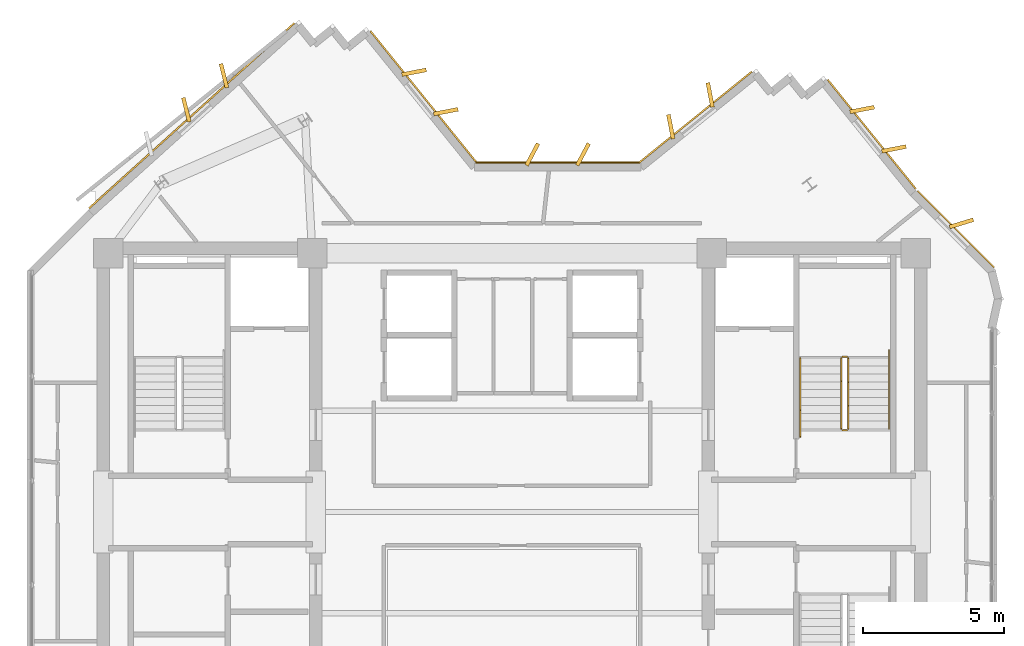
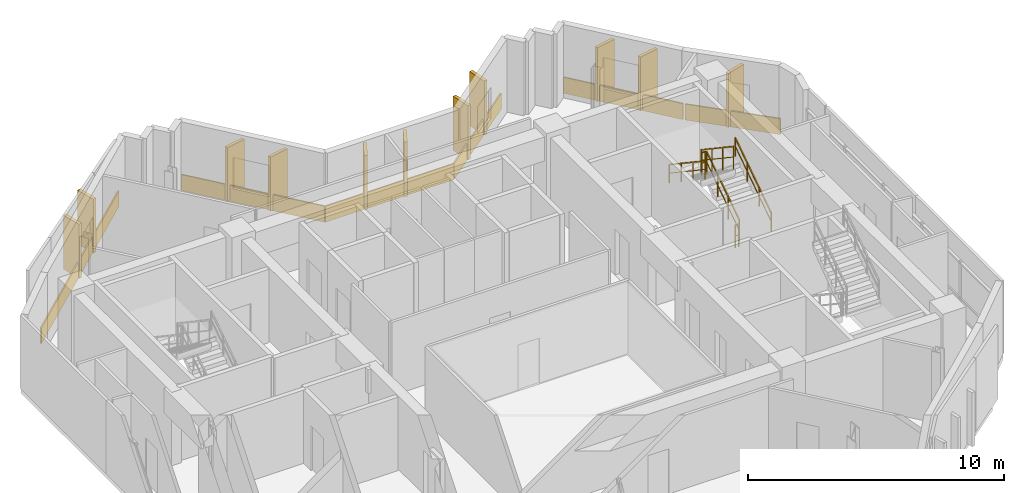
# One storey, part 11 of 11: 17 coverings, 6 railings.
"""IFC4 building model written with IfcOpenShell, lengths in metres."""

from ifc_helpers import new_model, si_unit, direction, frame, origin, origin_2d, place, context, subcontext, project, spatial, rectangle, extrude, source, transform, mapped, material, layer, layer_set, type_object, element, save


model = new_model("IFC4")

# Units and contexts
model_context = context("Model", 3, precision=1e-05, world=origin(), true_north=direction((0.0, 1.0)))
body_context = subcontext(model_context, "Body", "Model", "MODEL_VIEW")
ifc_project = project(units=[si_unit("LENGTHUNIT", "METRE"), si_unit("AREAUNIT", "SQUARE_METRE"), si_unit("VOLUMEUNIT", "CUBIC_METRE"), si_unit("PLANEANGLEUNIT", "RADIAN"), si_unit("MASSUNIT", "GRAM", prefix="KILO")], contexts=[model_context])

# Site, building, storey
site_placement = place(None, origin())
site = spatial("IfcSite", under=ifc_project, at=site_placement, CompositionType="ELEMENT")
building_placement = place(site_placement, origin())
building = spatial("IfcBuilding", under=site, at=building_placement, Name="Zahravan Cultural Tower", CompositionType="ELEMENT")
storey_placement = place(building_placement, frame((0.0, 0.0, 284.10009765625)))
storey = spatial("IfcBuildingStorey", under=building, at=storey_placement, Name="L68", CompositionType="ELEMENT", Elevation=284.10009765625)

# Railings
ifc_material_1 = material(Name="Steel ASTM A572 Grade 50", Category="steel")
railing_type_1 = type_object("IfcRailingType", Name="RL-STAIR-GRD1150", PredefinedType="BALUSTRADE", material=ifc_material_1)
railing_1_placement = place(storey_placement, frame((47.949951171875, 29.949951171875, 0.1875)))
element("IfcRailing", 1, at=railing_1_placement, inside=storey, type_object=railing_type_1, Name="L68 ST-E1 stair guard 1", PredefinedType="BALUSTRADE", context=body_context, shape_type="SweptSolid", body=[
    extrude(rectangle(XDim=0.05, YDim=0.05, at=origin_2d()), frame((0.0, 0.0, 1.0751953125), z_axis=(0.0, 0.830909170722, 0.55640807867), x_axis=(-1.0, 0.0, 0.0)), (0.0, 0.0, 1.0), 3.032958984375),
    extrude(rectangle(XDim=0.032, YDim=0.032, at=origin_2d()), frame((0.0, 0.0, 0.572021484375), z_axis=(0.0, 0.830909170722, 0.55640807867), x_axis=(-1.0, 0.0, 0.0)), (0.0, 0.0, 1.0), 3.032958984375),
    extrude(rectangle(XDim=0.04, YDim=0.04, at=origin_2d()), origin(), (0.0, 0.0, 1.0), 1.10009765625),
    extrude(rectangle(XDim=0.04, YDim=0.04, at=origin_2d()), frame((0.0, 0.840087890625, 0.5625)), (0.0, 0.0, 1.0), 1.10009765625),
    extrude(rectangle(XDim=0.04, YDim=0.04, at=origin_2d()), frame((0.0, 1.679931640625, 1.125)), (0.0, 0.0, 1.0), 1.10009765625),
    extrude(rectangle(XDim=0.04, YDim=0.04, at=origin_2d()), frame((0.0, 2.52001953125, 1.6875)), (0.0, 0.0, 1.0), 1.10009765625),
])
railing_2_placement = place(storey_placement, frame((47.89990234375, 32.52001953125, 1.875)))
element("IfcRailing", 2, at=railing_2_placement, inside=storey, type_object=railing_type_1, Name="L68 ST-E1 stair guard 2", PredefinedType="BALUSTRADE", context=body_context, shape_type="SweptSolid", body=[
    extrude(rectangle(XDim=0.05, YDim=0.05, at=origin_2d()), frame((0.0, 0.0, 1.0751953125), z_axis=(-1.0, 0.0, 0.0), x_axis=(0.0, -1.0, 0.0)), (0.0, 0.0, 1.0), 0.14990234375),
    extrude(rectangle(XDim=0.032, YDim=0.032, at=origin_2d()), frame((0.0, 0.0, 0.572021484375), z_axis=(-1.0, 0.0, 0.0), x_axis=(0.0, -1.0, 0.0)), (0.0, 0.0, 1.0), 0.14990234375),
    extrude(rectangle(XDim=0.04, YDim=0.04, at=origin_2d()), origin(), (0.0, 0.0, 1.0), 1.10009765625),
    extrude(rectangle(XDim=0.04, YDim=0.04, at=origin_2d()), frame((-0.14990234375, 0.0, 0.0)), (0.0, 0.0, 1.0), 1.10009765625),
])
railing_3_placement = place(storey_placement, frame((47.699951171875, 32.469970703125, 2.0625)))
element("IfcRailing", 3, at=railing_3_placement, inside=storey, type_object=railing_type_1, Name="L68 ST-E1 stair guard 3", PredefinedType="BALUSTRADE", context=body_context, shape_type="SweptSolid", body=[
    extrude(rectangle(XDim=0.05, YDim=0.05, at=origin_2d()), frame((0.0, 0.0, 1.0751953125), z_axis=(0.0, -0.830909170722, 0.55640807867), x_axis=(1.0, 0.0, 0.0)), (0.0, 0.0, 1.0), 3.032958984375),
    extrude(rectangle(XDim=0.032, YDim=0.032, at=origin_2d()), frame((0.0, 0.0, 0.572021484375), z_axis=(0.0, -0.830909170722, 0.55640807867), x_axis=(1.0, 0.0, 0.0)), (0.0, 0.0, 1.0), 3.032958984375),
    extrude(rectangle(XDim=0.04, YDim=0.04, at=origin_2d()), origin(), (0.0, 0.0, 1.0), 1.10009765625),
    extrude(rectangle(XDim=0.04, YDim=0.04, at=origin_2d()), frame((0.0, -0.840087890625, 0.5625)), (0.0, 0.0, 1.0), 1.10009765625),
    extrude(rectangle(XDim=0.04, YDim=0.04, at=origin_2d()), frame((0.0, -1.679931640625, 1.125)), (0.0, 0.0, 1.0), 1.10009765625),
    extrude(rectangle(XDim=0.04, YDim=0.04, at=origin_2d()), frame((0.0, -2.52001953125, 1.6875)), (0.0, 0.0, 1.0), 1.10009765625),
])
railing_4_placement = place(storey_placement, frame((47.89990234375, 29.89990234375, 0.0)))
element("IfcRailing", 4, at=railing_4_placement, inside=storey, type_object=railing_type_1, Name="L68 ST-E1 stair guard 4", PredefinedType="BALUSTRADE", context=body_context, shape_type="SweptSolid", body=[
    extrude(rectangle(XDim=0.05, YDim=0.05, at=origin_2d()), frame((0.0, 0.0, 1.0751953125), z_axis=(-1.0, 0.0, 0.0), x_axis=(0.0, -1.0, 0.0)), (0.0, 0.0, 1.0), 0.14990234375),
    extrude(rectangle(XDim=0.032, YDim=0.032, at=origin_2d()), frame((0.0, 0.0, 0.572021484375), z_axis=(-1.0, 0.0, 0.0), x_axis=(0.0, -1.0, 0.0)), (0.0, 0.0, 1.0), 0.14990234375),
    extrude(rectangle(XDim=0.04, YDim=0.04, at=origin_2d()), origin(), (0.0, 0.0, 1.0), 1.10009765625),
    extrude(rectangle(XDim=0.04, YDim=0.04, at=origin_2d()), frame((-0.14990234375, 0.0, 0.0)), (0.0, 0.0, 1.0), 1.10009765625),
])
railing_type_2 = type_object("IfcRailingType", Name="RL-STAIR-HR900", PredefinedType="HANDRAIL", material=ifc_material_1)
railing_5_placement = place(storey_placement, frame((49.39990234375, 29.949951171875, 0.1875)))
element("IfcRailing", 5, at=railing_5_placement, inside=storey, type_object=railing_type_2, Name="L68 ST-E1 stair handrail 1", PredefinedType="HANDRAIL", context=body_context, shape_type="SweptSolid", body=[
    extrude(rectangle(XDim=0.05, YDim=0.05, at=origin_2d()), frame((0.0, 0.0, 0.875), z_axis=(0.0, 0.830911662861, 0.55640435703), x_axis=(-1.0, 0.0, 0.0)), (0.0, 0.0, 1.0), 3.369873046875),
    extrude(rectangle(XDim=0.032, YDim=0.032, at=origin_2d()), frame((0.0, 0.0, 0.468017578125), z_axis=(0.0, 0.830911662861, 0.55640435703), x_axis=(-1.0, 0.0, 0.0)), (0.0, 0.0, 1.0), 3.369873046875),
    extrude(rectangle(XDim=0.04, YDim=0.04, at=origin_2d()), origin(), (0.0, 0.0, 1.0), 0.89990234375),
    extrude(rectangle(XDim=0.04, YDim=0.04, at=origin_2d()), frame((0.0, 0.933349609375, 0.625)), (0.0, 0.0, 1.0), 0.89990234375),
    extrude(rectangle(XDim=0.04, YDim=0.04, at=origin_2d()), frame((0.0, 1.86669921875, 1.25)), (0.0, 0.0, 1.0), 0.89990234375),
    extrude(rectangle(XDim=0.04, YDim=0.04, at=origin_2d()), frame((0.0, 2.800048828125, 1.875)), (0.0, 0.0, 1.0), 0.89990234375),
])
railing_6_placement = place(storey_placement, frame((46.25, 32.469970703125, 2.0625)))
element("IfcRailing", 6, at=railing_6_placement, inside=storey, type_object=railing_type_2, Name="L68 ST-E1 stair handrail 2", PredefinedType="HANDRAIL", context=body_context, shape_type="SweptSolid", body=[
    extrude(rectangle(XDim=0.05, YDim=0.05, at=origin_2d()), frame((0.0, 0.0, 0.875), z_axis=(0.0, -0.830911662861, 0.55640435703), x_axis=(1.0, 0.0, 0.0)), (0.0, 0.0, 1.0), 3.369873046875),
    extrude(rectangle(XDim=0.032, YDim=0.032, at=origin_2d()), frame((0.0, 0.0, 0.468017578125), z_axis=(0.0, -0.830911662861, 0.55640435703), x_axis=(1.0, 0.0, 0.0)), (0.0, 0.0, 1.0), 3.369873046875),
    extrude(rectangle(XDim=0.04, YDim=0.04, at=origin_2d()), origin(), (0.0, 0.0, 1.0), 0.89990234375),
    extrude(rectangle(XDim=0.04, YDim=0.04, at=origin_2d()), frame((0.0, -0.933349609375, 0.625)), (0.0, 0.0, 1.0), 0.89990234375),
    extrude(rectangle(XDim=0.04, YDim=0.04, at=origin_2d()), frame((0.0, -1.86669921875, 1.25)), (0.0, 0.0, 1.0), 0.89990234375),
    extrude(rectangle(XDim=0.04, YDim=0.04, at=origin_2d()), frame((0.0, -2.800048828125, 1.875)), (0.0, 0.0, 1.0), 0.89990234375),
])

# Coverings
ifc_material_2 = material(Name="Terracotta ceramic cladding", Category="masonry")
ifc_layer = layer(ifc_material_2, 0.06005859375)
ifc_layer_set = layer_set([ifc_layer], Name="Terracotta ceramic cladding")
covering_type = type_object("IfcCoveringType", Name="COV-CLAD-TC60", PredefinedType="CLADDING", material=ifc_layer_set)
shared_shape_1 = source(origin(), body_context, "Body", "SweptSolid", [
    extrude(rectangle(XDim=0.8798828125, YDim=0.139892578125, at=origin_2d()), origin(), (0.0, 0.0, 1.0), 2.580078125),
])
for number, where, z_axis, x_axis, name in (
    (7, (24.42333984375, 41.29931640625, 0.0498046875), (0.0, 0.0, 1.0), (-0.242751614931, 0.970088477124, 0.0), "L68 Herringbone Terracotta Fin 02"),
    (8, (25.760009765625, 42.5048828125, 0.0498046875), (0.0, 0.0, 1.0), (-0.242751614931, 0.970088477124, 0.0), "L68 Herringbone Terracotta Fin 03"),
    (9, (32.517578125, 42.631591796875, 0.0498046875), (0.0, 0.0, 1.0), (0.981902563727, 0.189386787677, 0.0), "L68 Herringbone Terracotta Fin 04"),
    (10, (33.648193359375, 41.231201171875, 0.0498046875), (0.0, 0.0, 1.0), (0.981902563727, 0.189386787677, 0.0), "L68 Herringbone Terracotta Fin 05"),
    (11, (36.72216796875, 39.7099609375, 0.0498046875), (0.0, 0.0, 1.0), (0.469471562786, 0.882947592859, 0.0), "L68 Herringbone Terracotta Fin 06"),
    (12, (38.522216796875, 39.7099609375, 0.0498046875), (0.0, 0.0, 1.0), (0.469471562786, 0.882947592859, 0.0), "L68 Herringbone Terracotta Fin 07"),
    (13, (41.6435546875, 40.694580078125, 0.0498046875), (0.0, 0.0, 1.0), (-0.189386787677, 0.981902563727, 0.0), "L68 Herringbone Terracotta Fin 08"),
    (14, (43.0439453125, 41.8251953125, 0.0498046875), (0.0, 0.0, 1.0), (-0.189386787677, 0.981902563727, 0.0), "L68 Herringbone Terracotta Fin 09"),
    (15, (48.44482421875, 41.306396484375, 0.0498046875), (0.0, 0.0, 1.0), (0.981902563727, 0.189386787677, 0.0), "L68 Herringbone Terracotta Fin 10"),
    (16, (49.57568359375, 39.906005859375, 0.0498046875), (0.0, 0.0, 1.0), (0.981902563727, 0.189386787677, 0.0), "L68 Herringbone Terracotta Fin 11"),
    (17, (51.97802734375, 37.26025390625, 0.0498046875), (0.0, 0.0, 1.0), (0.956304755963, 0.292371704723, 0.0), "L68 Herringbone Terracotta Fin 12"),
):
    element("IfcCovering", number, at=place(storey_placement, frame(where, z_axis=z_axis, x_axis=x_axis)), inside=storey, type_object=covering_type, Name=name, PredefinedType="CLADDING", context=body_context, shape_type="MappedRepresentation", body=[
        mapped(shared_shape_1, transform((0.0, 0.0, 0.0), x_axis=(1.0, 0.0, 0.0), y_axis=(0.0, 1.0, 0.0), z_axis=(0.0, 0.0, 1.0), scale=1.0)),
    ])
shared_shape_2 = source(origin(), body_context, "Body", "SweptSolid", [
    extrude(rectangle(XDim=9.8349609375, YDim=0.06005859375, at=origin_2d()), origin(), (0.0, 0.0, 1.0), 0.760009765625),
])
covering_1_placement = place(storey_placement, frame((24.6142578125, 41.087646484375, 0.02001953125), z_axis=(0.0, 0.0, 1.0), x_axis=(0.742572305706, 0.669765907462, 0.0)))
element("IfcCovering", 18, at=covering_1_placement, inside=storey, type_object=covering_type, Name="L68 Terracotta Spandrel Cladding 02", PredefinedType="CLADDING", context=body_context, shape_type="MappedRepresentation", body=[
    mapped(shared_shape_2, transform((0.0, 0.0, 0.0), x_axis=(1.0, 0.0, 0.0), y_axis=(0.0, 1.0, 0.0), z_axis=(0.0, 0.0, 1.0), scale=1.0)),
])
shared_shape_3 = source(origin(), body_context, "Body", "SweptSolid", [
    extrude(rectangle(XDim=6.0400390625, YDim=0.06005859375, at=origin_2d()), origin(), (0.0, 0.0, 1.0), 0.760009765625),
])
covering_2_placement = place(storey_placement, frame((32.861083984375, 41.752197265625, 0.02001953125), z_axis=(0.0, 0.0, 1.0), x_axis=(0.628193939395, -0.778056793883, 0.0)))
element("IfcCovering", 19, at=covering_2_placement, inside=storey, type_object=covering_type, Name="L68 Terracotta Spandrel Cladding 07", PredefinedType="CLADDING", context=body_context, shape_type="MappedRepresentation", body=[
    mapped(shared_shape_3, transform((0.0, 0.0, 0.0), x_axis=(1.0, 0.0, 0.0), y_axis=(0.0, 1.0, 0.0), z_axis=(0.0, 0.0, 1.0), scale=1.0)),
])
shared_shape_4 = source(origin(), body_context, "Body", "SweptSolid", [
    extrude(rectangle(XDim=5.82177734375, YDim=0.06005859375, at=origin_2d()), origin(), (0.0, 0.0, 1.0), 0.760009765625),
])
covering_3_placement = place(storey_placement, frame((37.6220703125, 39.425048828125, 0.02001953125), z_axis=(0.0, 0.0, 1.0), x_axis=(1.0, 0.0, 0.0)))
element("IfcCovering", 20, at=covering_3_placement, inside=storey, type_object=covering_type, Name="L68 Terracotta Spandrel Cladding 08", PredefinedType="CLADDING", context=body_context, shape_type="MappedRepresentation", body=[
    mapped(shared_shape_4, transform((0.0, 0.0, 0.0), x_axis=(1.0, 0.0, 0.0), y_axis=(0.0, 1.0, 0.0), z_axis=(0.0, 0.0, 1.0), scale=1.0)),
])
shared_shape_5 = source(origin(), body_context, "Body", "SweptSolid", [
    extrude(rectangle(XDim=5.152587890625, YDim=0.06005859375, at=origin_2d()), origin(), (0.0, 0.0, 1.0), 0.760009765625),
])
covering_4_placement = place(storey_placement, frame((42.522705078125, 41.0380859375, 0.02001953125), z_axis=(0.0, 0.0, 1.0), x_axis=(0.778056793883, 0.628193939395, 0.0)))
element("IfcCovering", 21, at=covering_4_placement, inside=storey, type_object=covering_type, Name="L68 Terracotta Spandrel Cladding 09", PredefinedType="CLADDING", context=body_context, shape_type="MappedRepresentation", body=[
    mapped(shared_shape_5, transform((0.0, 0.0, 0.0), x_axis=(1.0, 0.0, 0.0), y_axis=(0.0, 1.0, 0.0), z_axis=(0.0, 0.0, 1.0), scale=1.0)),
])
shared_shape_6 = source(origin(), body_context, "Body", "SweptSolid", [
    extrude(rectangle(XDim=4.992919921875, YDim=0.06005859375, at=origin_2d()), origin(), (0.0, 0.0, 1.0), 0.760009765625),
])
covering_5_placement = place(storey_placement, frame((48.788330078125, 40.42724609375, 0.02001953125), z_axis=(0.0, 0.0, 1.0), x_axis=(0.628193939395, -0.778056793883, 0.0)))
element("IfcCovering", 22, at=covering_5_placement, inside=storey, type_object=covering_type, Name="L68 Terracotta Spandrel Cladding 14", PredefinedType="CLADDING", context=body_context, shape_type="MappedRepresentation", body=[
    mapped(shared_shape_6, transform((0.0, 0.0, 0.0), x_axis=(1.0, 0.0, 0.0), y_axis=(0.0, 1.0, 0.0), z_axis=(0.0, 0.0, 1.0), scale=1.0)),
])
shared_shape_7 = source(origin(), body_context, "Body", "SweptSolid", [
    extrude(rectangle(XDim=3.860107421875, YDim=0.06005859375, at=origin_2d()), origin(), (0.0, 0.0, 1.0), 0.760009765625),
])
covering_6_placement = place(storey_placement, frame((51.776611328125, 37.058837890625, 0.02001953125), z_axis=(0.0, 0.0, 1.0), x_axis=(0.707106781187, -0.707106781187, 0.0)))
element("IfcCovering", 23, at=covering_6_placement, inside=storey, type_object=covering_type, Name="L68 Terracotta Spandrel Cladding 15", PredefinedType="CLADDING", context=body_context, shape_type="MappedRepresentation", body=[
    mapped(shared_shape_7, transform((0.0, 0.0, 0.0), x_axis=(1.0, 0.0, 0.0), y_axis=(0.0, 1.0, 0.0), z_axis=(0.0, 0.0, 1.0), scale=1.0)),
])

save(model, "model.ifc")
